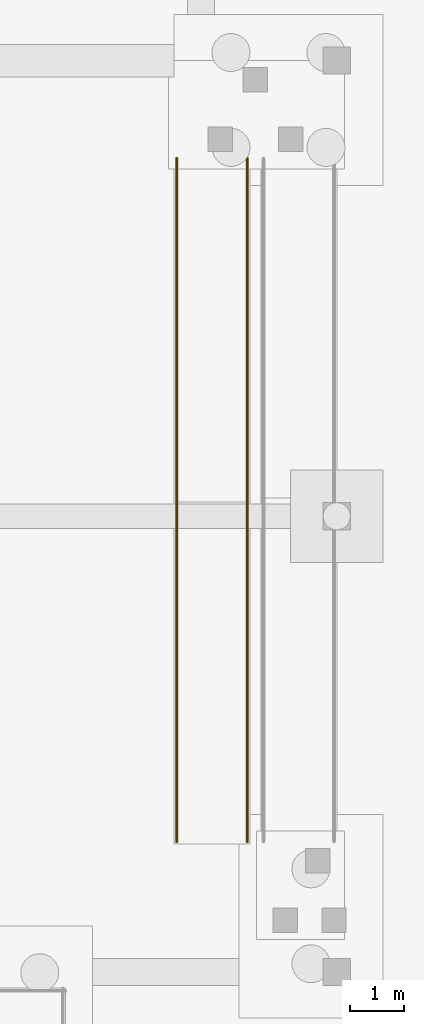
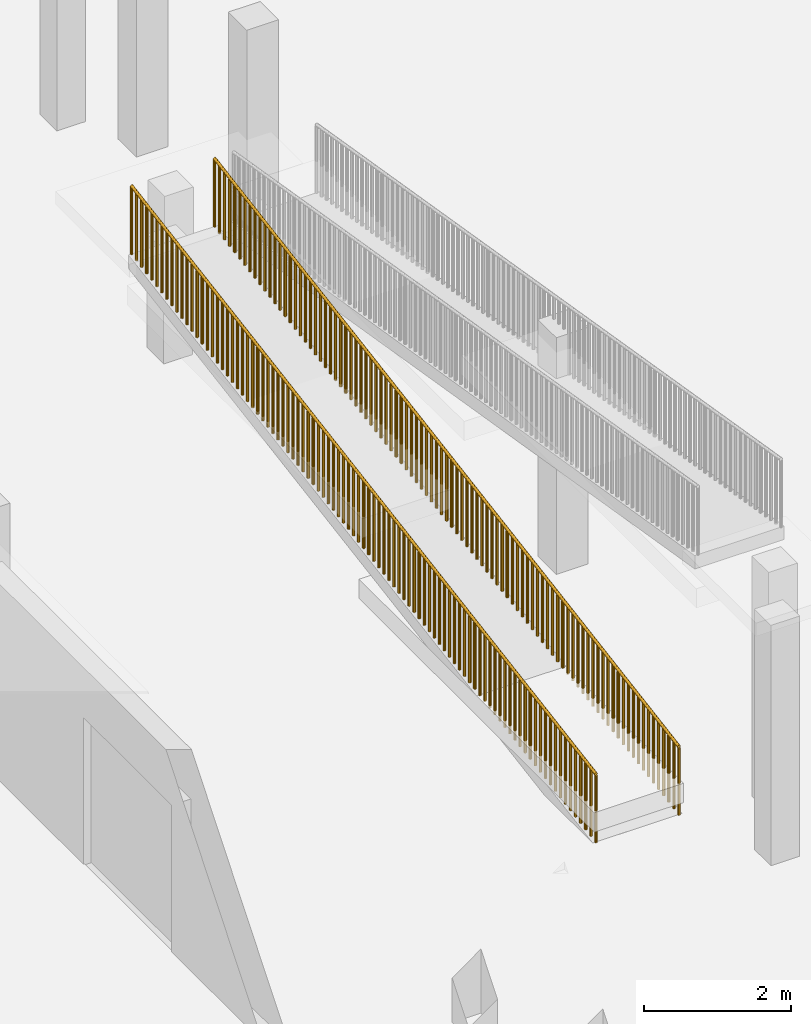
# One storey, part 75 of 88: 2 railings.
"""IFC4 building model written with IfcOpenShell, lengths in metres."""

from ifc_helpers import new_model, si_unit, direction, frame, origin, origin_2d, place, context, subcontext, project, spatial, circle, extrude, material, type_object, element, save


model = new_model("IFC4")

# Units and contexts
model_context = context("Model", 3, precision=1e-05, world=origin(), true_north=direction((0.0, 1.0)))
body_context = subcontext(model_context, "Body", "Model", "MODEL_VIEW")
ifc_project = project(units=[si_unit("LENGTHUNIT", "METRE"), si_unit("AREAUNIT", "SQUARE_METRE"), si_unit("VOLUMEUNIT", "CUBIC_METRE"), si_unit("PLANEANGLEUNIT", "RADIAN"), si_unit("MASSUNIT", "GRAM", prefix="KILO")], contexts=[model_context])

# Site, building, storey
site_placement = place(None, origin())
site = spatial("IfcSite", under=ifc_project, at=site_placement, CompositionType="ELEMENT")
building_placement = place(site_placement, origin())
building = spatial("IfcBuilding", under=site, at=building_placement, Name="Vanh Quang Courtyard School", CompositionType="ELEMENT")
storey_placement = place(building_placement, origin())
storey = spatial("IfcBuildingStorey", under=building, at=storey_placement, Name="L00", CompositionType="ELEMENT", Elevation=0.0)

# Railings
ifc_material = material(Name="Galvanised painted steel EN 10025-2 S355J2", Category="steel")
railing_type = type_object("IfcRailingType", Name="RAIL-GUARD-1150", PredefinedType="BALUSTRADE", material=ifc_material)
railing_1_placement = place(storey_placement, frame((125.550048828125, 15.0, 0.0)))
element("IfcRailing", 1, at=railing_1_placement, inside=storey, type_object=railing_type, Name="Railing GR-01 (L00)", PredefinedType="BALUSTRADE", context=body_context, shape_type="SweptSolid", body=[
    extrude(circle(Radius=0.02392578125, at=origin_2d()), frame((0.0, 0.0, 1.1259765625), z_axis=(0.0, 0.986392890708, 0.16440518593), x_axis=(-1.0, 0.0, 0.0)), (0.0, 0.0, 1.0), 12.77392578125),
    extrude(circle(Radius=0.02099609375, at=origin_2d()), origin(), (0.0, 0.0, 1.0), 1.101806640625),
    extrude(circle(Radius=0.02099609375, at=origin_2d()), frame((0.0, 0.136962890625, 0.02294921875)), (0.0, 0.0, 1.0), 1.101806640625),
    extrude(circle(Radius=0.02099609375, at=origin_2d()), frame((0.0, 0.27392578125, 0.045654296875)), (0.0, 0.0, 1.0), 1.101806640625),
    extrude(circle(Radius=0.02099609375, at=origin_2d()), frame((0.0, 0.410888671875, 0.068359375)), (0.0, 0.0, 1.0), 1.101806640625),
    extrude(circle(Radius=0.02099609375, at=origin_2d()), frame((0.0, 0.5478515625, 0.09130859375)), (0.0, 0.0, 1.0), 1.101806640625),
    extrude(circle(Radius=0.02099609375, at=origin_2d()), frame((0.0, 0.684814453125, 0.1142578125)), (0.0, 0.0, 1.0), 1.101806640625),
    extrude(circle(Radius=0.02099609375, at=origin_2d()), frame((0.0, 0.82177734375, 0.136962890625)), (0.0, 0.0, 1.0), 1.101806640625),
    extrude(circle(Radius=0.02099609375, at=origin_2d()), frame((0.0, 0.958740234375, 0.15966796875)), (0.0, 0.0, 1.0), 1.101806640625),
    extrude(circle(Radius=0.02099609375, at=origin_2d()), frame((0.0, 1.095703125, 0.1826171875)), (0.0, 0.0, 1.0), 1.101806640625),
    extrude(circle(Radius=0.02099609375, at=origin_2d()), frame((0.0, 1.232666015625, 0.20556640625)), (0.0, 0.0, 1.0), 1.101806640625),
    extrude(circle(Radius=0.02099609375, at=origin_2d()), frame((0.0, 1.36962890625, 0.228271484375)), (0.0, 0.0, 1.0), 1.101806640625),
    extrude(circle(Radius=0.02099609375, at=origin_2d()), frame((0.0, 1.506591796875, 0.2509765625)), (0.0, 0.0, 1.0), 1.101806640625),
    extrude(circle(Radius=0.02099609375, at=origin_2d()), frame((0.0, 1.6435546875, 0.27392578125)), (0.0, 0.0, 1.0), 1.101806640625),
    extrude(circle(Radius=0.02099609375, at=origin_2d()), frame((0.0, 1.780517578125, 0.296875)), (0.0, 0.0, 1.0), 1.101806640625),
    extrude(circle(Radius=0.02099609375, at=origin_2d()), frame((0.0, 1.91748046875, 0.319580078125)), (0.0, 0.0, 1.0), 1.101806640625),
    extrude(circle(Radius=0.02099609375, at=origin_2d()), frame((0.0, 2.054443359375, 0.34228515625)), (0.0, 0.0, 1.0), 1.101806640625),
    extrude(circle(Radius=0.02099609375, at=origin_2d()), frame((0.0, 2.19140625, 0.365234375)), (0.0, 0.0, 1.0), 1.101806640625),
    extrude(circle(Radius=0.02099609375, at=origin_2d()), frame((0.0, 2.328369140625, 0.38818359375)), (0.0, 0.0, 1.0), 1.101806640625),
    extrude(circle(Radius=0.02099609375, at=origin_2d()), frame((0.0, 2.46533203125, 0.410888671875)), (0.0, 0.0, 1.0), 1.101806640625),
    extrude(circle(Radius=0.02099609375, at=origin_2d()), frame((0.0, 2.602294921875, 0.43359375)), (0.0, 0.0, 1.0), 1.101806640625),
    extrude(circle(Radius=0.02099609375, at=origin_2d()), frame((0.0, 2.7392578125, 0.45654296875)), (0.0, 0.0, 1.0), 1.101806640625),
    extrude(circle(Radius=0.02099609375, at=origin_2d()), frame((0.0, 2.876220703125, 0.479248046875)), (0.0, 0.0, 1.0), 1.101806640625),
    extrude(circle(Radius=0.02099609375, at=origin_2d()), frame((0.0, 3.01318359375, 0.502197265625)), (0.0, 0.0, 1.0), 1.101806640625),
    extrude(circle(Radius=0.02099609375, at=origin_2d()), frame((0.0, 3.14990234375, 0.52490234375)), (0.0, 0.0, 1.0), 1.101806640625),
    extrude(circle(Radius=0.02099609375, at=origin_2d()), frame((0.0, 3.286865234375, 0.5478515625)), (0.0, 0.0, 1.0), 1.101806640625),
    extrude(circle(Radius=0.02099609375, at=origin_2d()), frame((0.0, 3.423828125, 0.57080078125)), (0.0, 0.0, 1.0), 1.101806640625),
    extrude(circle(Radius=0.02099609375, at=origin_2d()), frame((0.0, 3.560791015625, 0.593505859375)), (0.0, 0.0, 1.0), 1.101806640625),
    extrude(circle(Radius=0.02099609375, at=origin_2d()), frame((0.0, 3.69775390625, 0.616455078125)), (0.0, 0.0, 1.0), 1.101806640625),
    extrude(circle(Radius=0.02099609375, at=origin_2d()), frame((0.0, 3.834716796875, 0.63916015625)), (0.0, 0.0, 1.0), 1.101806640625),
    extrude(circle(Radius=0.02099609375, at=origin_2d()), frame((0.0, 3.9716796875, 0.662109375)), (0.0, 0.0, 1.0), 1.101806640625),
    extrude(circle(Radius=0.02099609375, at=origin_2d()), frame((0.0, 4.108642578125, 0.684814453125)), (0.0, 0.0, 1.0), 1.101806640625),
    extrude(circle(Radius=0.02099609375, at=origin_2d()), frame((0.0, 4.24560546875, 0.70751953125)), (0.0, 0.0, 1.0), 1.101806640625),
    extrude(circle(Radius=0.02099609375, at=origin_2d()), frame((0.0, 4.382568359375, 0.73046875)), (0.0, 0.0, 1.0), 1.101806640625),
    extrude(circle(Radius=0.02099609375, at=origin_2d()), frame((0.0, 4.51953125, 0.75341796875)), (0.0, 0.0, 1.0), 1.101806640625),
    extrude(circle(Radius=0.02099609375, at=origin_2d()), frame((0.0, 4.656494140625, 0.776123046875)), (0.0, 0.0, 1.0), 1.101806640625),
    extrude(circle(Radius=0.02099609375, at=origin_2d()), frame((0.0, 4.79345703125, 0.798828125)), (0.0, 0.0, 1.0), 1.101806640625),
    extrude(circle(Radius=0.02099609375, at=origin_2d()), frame((0.0, 4.930419921875, 0.82177734375)), (0.0, 0.0, 1.0), 1.101806640625),
    extrude(circle(Radius=0.02099609375, at=origin_2d()), frame((0.0, 5.0673828125, 0.8447265625)), (0.0, 0.0, 1.0), 1.101806640625),
    extrude(circle(Radius=0.02099609375, at=origin_2d()), frame((0.0, 5.204345703125, 0.867431640625)), (0.0, 0.0, 1.0), 1.101806640625),
    extrude(circle(Radius=0.02099609375, at=origin_2d()), frame((0.0, 5.34130859375, 0.89013671875)), (0.0, 0.0, 1.0), 1.101806640625),
    extrude(circle(Radius=0.02099609375, at=origin_2d()), frame((0.0, 5.478271484375, 0.9130859375)), (0.0, 0.0, 1.0), 1.101806640625),
    extrude(circle(Radius=0.02099609375, at=origin_2d()), frame((0.0, 5.615234375, 0.93603515625)), (0.0, 0.0, 1.0), 1.101806640625),
    extrude(circle(Radius=0.02099609375, at=origin_2d()), frame((0.0, 5.752197265625, 0.958740234375)), (0.0, 0.0, 1.0), 1.101806640625),
    extrude(circle(Radius=0.02099609375, at=origin_2d()), frame((0.0, 5.88916015625, 0.9814453125)), (0.0, 0.0, 1.0), 1.101806640625),
    extrude(circle(Radius=0.02099609375, at=origin_2d()), frame((0.0, 6.026123046875, 1.00439453125)), (0.0, 0.0, 1.0), 1.101806640625),
    extrude(circle(Radius=0.02099609375, at=origin_2d()), frame((0.0, 6.1630859375, 1.02734375)), (0.0, 0.0, 1.0), 1.101806640625),
    extrude(circle(Radius=0.02099609375, at=origin_2d()), frame((0.0, 6.300048828125, 1.050048828125)), (0.0, 0.0, 1.0), 1.101806640625),
    extrude(circle(Radius=0.02099609375, at=origin_2d()), frame((0.0, 6.43701171875, 1.07275390625)), (0.0, 0.0, 1.0), 1.101806640625),
    extrude(circle(Radius=0.02099609375, at=origin_2d()), frame((0.0, 6.573974609375, 1.095703125)), (0.0, 0.0, 1.0), 1.101806640625),
    extrude(circle(Radius=0.02099609375, at=origin_2d()), frame((0.0, 6.7109375, 1.11865234375)), (0.0, 0.0, 1.0), 1.101806640625),
    extrude(circle(Radius=0.02099609375, at=origin_2d()), frame((0.0, 6.847900390625, 1.141357421875)), (0.0, 0.0, 1.0), 1.101806640625),
    extrude(circle(Radius=0.02099609375, at=origin_2d()), frame((0.0, 6.98486328125, 1.1640625)), (0.0, 0.0, 1.0), 1.101806640625),
    extrude(circle(Radius=0.02099609375, at=origin_2d()), frame((0.0, 7.121826171875, 1.18701171875)), (0.0, 0.0, 1.0), 1.101806640625),
    extrude(circle(Radius=0.02099609375, at=origin_2d()), frame((0.0, 7.2587890625, 1.2099609375)), (0.0, 0.0, 1.0), 1.101806640625),
    extrude(circle(Radius=0.02099609375, at=origin_2d()), frame((0.0, 7.395751953125, 1.232666015625)), (0.0, 0.0, 1.0), 1.101806640625),
    extrude(circle(Radius=0.02099609375, at=origin_2d()), frame((0.0, 7.53271484375, 1.25537109375)), (0.0, 0.0, 1.0), 1.101806640625),
    extrude(circle(Radius=0.02099609375, at=origin_2d()), frame((0.0, 7.669677734375, 1.2783203125)), (0.0, 0.0, 1.0), 1.101806640625),
    extrude(circle(Radius=0.02099609375, at=origin_2d()), frame((0.0, 7.806640625, 1.30126953125)), (0.0, 0.0, 1.0), 1.101806640625),
    extrude(circle(Radius=0.02099609375, at=origin_2d()), frame((0.0, 7.943603515625, 1.323974609375)), (0.0, 0.0, 1.0), 1.101806640625),
    extrude(circle(Radius=0.02099609375, at=origin_2d()), frame((0.0, 8.08056640625, 1.3466796875)), (0.0, 0.0, 1.0), 1.101806640625),
    extrude(circle(Radius=0.02099609375, at=origin_2d()), frame((0.0, 8.217529296875, 1.36962890625)), (0.0, 0.0, 1.0), 1.101806640625),
    extrude(circle(Radius=0.02099609375, at=origin_2d()), frame((0.0, 8.3544921875, 1.392333984375)), (0.0, 0.0, 1.0), 1.101806640625),
    extrude(circle(Radius=0.02099609375, at=origin_2d()), frame((0.0, 8.491455078125, 1.415283203125)), (0.0, 0.0, 1.0), 1.101806640625),
    extrude(circle(Radius=0.02099609375, at=origin_2d()), frame((0.0, 8.62841796875, 1.43798828125)), (0.0, 0.0, 1.0), 1.101806640625),
    extrude(circle(Radius=0.02099609375, at=origin_2d()), frame((0.0, 8.765380859375, 1.4609375)), (0.0, 0.0, 1.0), 1.101806640625),
    extrude(circle(Radius=0.02099609375, at=origin_2d()), frame((0.0, 8.90234375, 1.48388671875)), (0.0, 0.0, 1.0), 1.101806640625),
    extrude(circle(Radius=0.02099609375, at=origin_2d()), frame((0.0, 9.039306640625, 1.506591796875)), (0.0, 0.0, 1.0), 1.101806640625),
    extrude(circle(Radius=0.02099609375, at=origin_2d()), frame((0.0, 9.17626953125, 1.529296875)), (0.0, 0.0, 1.0), 1.101806640625),
    extrude(circle(Radius=0.02099609375, at=origin_2d()), frame((0.0, 9.313232421875, 1.55224609375)), (0.0, 0.0, 1.0), 1.101806640625),
    extrude(circle(Radius=0.02099609375, at=origin_2d()), frame((0.0, 9.4501953125, 1.5751953125)), (0.0, 0.0, 1.0), 1.101806640625),
    extrude(circle(Radius=0.02099609375, at=origin_2d()), frame((0.0, 9.5869140625, 1.597900390625)), (0.0, 0.0, 1.0), 1.101806640625),
    extrude(circle(Radius=0.02099609375, at=origin_2d()), frame((0.0, 9.723876953125, 1.62060546875)), (0.0, 0.0, 1.0), 1.101806640625),
    extrude(circle(Radius=0.02099609375, at=origin_2d()), frame((0.0, 9.86083984375, 1.6435546875)), (0.0, 0.0, 1.0), 1.101806640625),
    extrude(circle(Radius=0.02099609375, at=origin_2d()), frame((0.0, 9.997802734375, 1.66650390625)), (0.0, 0.0, 1.0), 1.101806640625),
    extrude(circle(Radius=0.02099609375, at=origin_2d()), frame((0.0, 10.134765625, 1.689208984375)), (0.0, 0.0, 1.0), 1.101806640625),
    extrude(circle(Radius=0.02099609375, at=origin_2d()), frame((0.0, 10.271728515625, 1.7119140625)), (0.0, 0.0, 1.0), 1.101806640625),
    extrude(circle(Radius=0.02099609375, at=origin_2d()), frame((0.0, 10.40869140625, 1.73486328125)), (0.0, 0.0, 1.0), 1.101806640625),
    extrude(circle(Radius=0.02099609375, at=origin_2d()), frame((0.0, 10.545654296875, 1.7578125)), (0.0, 0.0, 1.0), 1.101806640625),
    extrude(circle(Radius=0.02099609375, at=origin_2d()), frame((0.0, 10.6826171875, 1.780517578125)), (0.0, 0.0, 1.0), 1.101806640625),
    extrude(circle(Radius=0.02099609375, at=origin_2d()), frame((0.0, 10.819580078125, 1.80322265625)), (0.0, 0.0, 1.0), 1.101806640625),
    extrude(circle(Radius=0.02099609375, at=origin_2d()), frame((0.0, 10.95654296875, 1.826171875)), (0.0, 0.0, 1.0), 1.101806640625),
    extrude(circle(Radius=0.02099609375, at=origin_2d()), frame((0.0, 11.093505859375, 1.84912109375)), (0.0, 0.0, 1.0), 1.101806640625),
    extrude(circle(Radius=0.02099609375, at=origin_2d()), frame((0.0, 11.23046875, 1.871826171875)), (0.0, 0.0, 1.0), 1.101806640625),
    extrude(circle(Radius=0.02099609375, at=origin_2d()), frame((0.0, 11.367431640625, 1.89453125)), (0.0, 0.0, 1.0), 1.101806640625),
    extrude(circle(Radius=0.02099609375, at=origin_2d()), frame((0.0, 11.50439453125, 1.91748046875)), (0.0, 0.0, 1.0), 1.101806640625),
    extrude(circle(Radius=0.02099609375, at=origin_2d()), frame((0.0, 11.641357421875, 1.9404296875)), (0.0, 0.0, 1.0), 1.101806640625),
    extrude(circle(Radius=0.02099609375, at=origin_2d()), frame((0.0, 11.7783203125, 1.963134765625)), (0.0, 0.0, 1.0), 1.101806640625),
    extrude(circle(Radius=0.02099609375, at=origin_2d()), frame((0.0, 11.915283203125, 1.98583984375)), (0.0, 0.0, 1.0), 1.101806640625),
    extrude(circle(Radius=0.02099609375, at=origin_2d()), frame((0.0, 12.05224609375, 2.0087890625)), (0.0, 0.0, 1.0), 1.101806640625),
    extrude(circle(Radius=0.02099609375, at=origin_2d()), frame((0.0, 12.189208984375, 2.03173828125)), (0.0, 0.0, 1.0), 1.101806640625),
    extrude(circle(Radius=0.02099609375, at=origin_2d()), frame((0.0, 12.326171875, 2.054443359375)), (0.0, 0.0, 1.0), 1.101806640625),
    extrude(circle(Radius=0.02099609375, at=origin_2d()), frame((0.0, 12.463134765625, 2.0771484375)), (0.0, 0.0, 1.0), 1.101806640625),
    extrude(circle(Radius=0.02099609375, at=origin_2d()), frame((0.0, 12.60009765625, 2.10009765625)), (0.0, 0.0, 1.0), 1.101806640625),
])
railing_2_placement = place(storey_placement, frame((126.85009765625, 15.0, 0.0)))
element("IfcRailing", 2, at=railing_2_placement, inside=storey, type_object=railing_type, Name="Railing GR-01 (L00)", PredefinedType="BALUSTRADE", context=body_context, shape_type="SweptSolid", body=[
    extrude(circle(Radius=0.02392578125, at=origin_2d()), frame((0.0, 0.0, 1.1259765625), z_axis=(0.0, 0.986392890708, 0.16440518593), x_axis=(-1.0, 0.0, 0.0)), (0.0, 0.0, 1.0), 12.77392578125),
    extrude(circle(Radius=0.02099609375, at=origin_2d()), origin(), (0.0, 0.0, 1.0), 1.101806640625),
    extrude(circle(Radius=0.02099609375, at=origin_2d()), frame((0.0, 0.136962890625, 0.02294921875)), (0.0, 0.0, 1.0), 1.101806640625),
    extrude(circle(Radius=0.02099609375, at=origin_2d()), frame((0.0, 0.27392578125, 0.045654296875)), (0.0, 0.0, 1.0), 1.101806640625),
    extrude(circle(Radius=0.02099609375, at=origin_2d()), frame((0.0, 0.410888671875, 0.068359375)), (0.0, 0.0, 1.0), 1.101806640625),
    extrude(circle(Radius=0.02099609375, at=origin_2d()), frame((0.0, 0.5478515625, 0.09130859375)), (0.0, 0.0, 1.0), 1.101806640625),
    extrude(circle(Radius=0.02099609375, at=origin_2d()), frame((0.0, 0.684814453125, 0.1142578125)), (0.0, 0.0, 1.0), 1.101806640625),
    extrude(circle(Radius=0.02099609375, at=origin_2d()), frame((0.0, 0.82177734375, 0.136962890625)), (0.0, 0.0, 1.0), 1.101806640625),
    extrude(circle(Radius=0.02099609375, at=origin_2d()), frame((0.0, 0.958740234375, 0.15966796875)), (0.0, 0.0, 1.0), 1.101806640625),
    extrude(circle(Radius=0.02099609375, at=origin_2d()), frame((0.0, 1.095703125, 0.1826171875)), (0.0, 0.0, 1.0), 1.101806640625),
    extrude(circle(Radius=0.02099609375, at=origin_2d()), frame((0.0, 1.232666015625, 0.20556640625)), (0.0, 0.0, 1.0), 1.101806640625),
    extrude(circle(Radius=0.02099609375, at=origin_2d()), frame((0.0, 1.36962890625, 0.228271484375)), (0.0, 0.0, 1.0), 1.101806640625),
    extrude(circle(Radius=0.02099609375, at=origin_2d()), frame((0.0, 1.506591796875, 0.2509765625)), (0.0, 0.0, 1.0), 1.101806640625),
    extrude(circle(Radius=0.02099609375, at=origin_2d()), frame((0.0, 1.6435546875, 0.27392578125)), (0.0, 0.0, 1.0), 1.101806640625),
    extrude(circle(Radius=0.02099609375, at=origin_2d()), frame((0.0, 1.780517578125, 0.296875)), (0.0, 0.0, 1.0), 1.101806640625),
    extrude(circle(Radius=0.02099609375, at=origin_2d()), frame((0.0, 1.91748046875, 0.319580078125)), (0.0, 0.0, 1.0), 1.101806640625),
    extrude(circle(Radius=0.02099609375, at=origin_2d()), frame((0.0, 2.054443359375, 0.34228515625)), (0.0, 0.0, 1.0), 1.101806640625),
    extrude(circle(Radius=0.02099609375, at=origin_2d()), frame((0.0, 2.19140625, 0.365234375)), (0.0, 0.0, 1.0), 1.101806640625),
    extrude(circle(Radius=0.02099609375, at=origin_2d()), frame((0.0, 2.328369140625, 0.38818359375)), (0.0, 0.0, 1.0), 1.101806640625),
    extrude(circle(Radius=0.02099609375, at=origin_2d()), frame((0.0, 2.46533203125, 0.410888671875)), (0.0, 0.0, 1.0), 1.101806640625),
    extrude(circle(Radius=0.02099609375, at=origin_2d()), frame((0.0, 2.602294921875, 0.43359375)), (0.0, 0.0, 1.0), 1.101806640625),
    extrude(circle(Radius=0.02099609375, at=origin_2d()), frame((0.0, 2.7392578125, 0.45654296875)), (0.0, 0.0, 1.0), 1.101806640625),
    extrude(circle(Radius=0.02099609375, at=origin_2d()), frame((0.0, 2.876220703125, 0.479248046875)), (0.0, 0.0, 1.0), 1.101806640625),
    extrude(circle(Radius=0.02099609375, at=origin_2d()), frame((0.0, 3.01318359375, 0.502197265625)), (0.0, 0.0, 1.0), 1.101806640625),
    extrude(circle(Radius=0.02099609375, at=origin_2d()), frame((0.0, 3.14990234375, 0.52490234375)), (0.0, 0.0, 1.0), 1.101806640625),
    extrude(circle(Radius=0.02099609375, at=origin_2d()), frame((0.0, 3.286865234375, 0.5478515625)), (0.0, 0.0, 1.0), 1.101806640625),
    extrude(circle(Radius=0.02099609375, at=origin_2d()), frame((0.0, 3.423828125, 0.57080078125)), (0.0, 0.0, 1.0), 1.101806640625),
    extrude(circle(Radius=0.02099609375, at=origin_2d()), frame((0.0, 3.560791015625, 0.593505859375)), (0.0, 0.0, 1.0), 1.101806640625),
    extrude(circle(Radius=0.02099609375, at=origin_2d()), frame((0.0, 3.69775390625, 0.616455078125)), (0.0, 0.0, 1.0), 1.101806640625),
    extrude(circle(Radius=0.02099609375, at=origin_2d()), frame((0.0, 3.834716796875, 0.63916015625)), (0.0, 0.0, 1.0), 1.101806640625),
    extrude(circle(Radius=0.02099609375, at=origin_2d()), frame((0.0, 3.9716796875, 0.662109375)), (0.0, 0.0, 1.0), 1.101806640625),
    extrude(circle(Radius=0.02099609375, at=origin_2d()), frame((0.0, 4.108642578125, 0.684814453125)), (0.0, 0.0, 1.0), 1.101806640625),
    extrude(circle(Radius=0.02099609375, at=origin_2d()), frame((0.0, 4.24560546875, 0.70751953125)), (0.0, 0.0, 1.0), 1.101806640625),
    extrude(circle(Radius=0.02099609375, at=origin_2d()), frame((0.0, 4.382568359375, 0.73046875)), (0.0, 0.0, 1.0), 1.101806640625),
    extrude(circle(Radius=0.02099609375, at=origin_2d()), frame((0.0, 4.51953125, 0.75341796875)), (0.0, 0.0, 1.0), 1.101806640625),
    extrude(circle(Radius=0.02099609375, at=origin_2d()), frame((0.0, 4.656494140625, 0.776123046875)), (0.0, 0.0, 1.0), 1.101806640625),
    extrude(circle(Radius=0.02099609375, at=origin_2d()), frame((0.0, 4.79345703125, 0.798828125)), (0.0, 0.0, 1.0), 1.101806640625),
    extrude(circle(Radius=0.02099609375, at=origin_2d()), frame((0.0, 4.930419921875, 0.82177734375)), (0.0, 0.0, 1.0), 1.101806640625),
    extrude(circle(Radius=0.02099609375, at=origin_2d()), frame((0.0, 5.0673828125, 0.8447265625)), (0.0, 0.0, 1.0), 1.101806640625),
    extrude(circle(Radius=0.02099609375, at=origin_2d()), frame((0.0, 5.204345703125, 0.867431640625)), (0.0, 0.0, 1.0), 1.101806640625),
    extrude(circle(Radius=0.02099609375, at=origin_2d()), frame((0.0, 5.34130859375, 0.89013671875)), (0.0, 0.0, 1.0), 1.101806640625),
    extrude(circle(Radius=0.02099609375, at=origin_2d()), frame((0.0, 5.478271484375, 0.9130859375)), (0.0, 0.0, 1.0), 1.101806640625),
    extrude(circle(Radius=0.02099609375, at=origin_2d()), frame((0.0, 5.615234375, 0.93603515625)), (0.0, 0.0, 1.0), 1.101806640625),
    extrude(circle(Radius=0.02099609375, at=origin_2d()), frame((0.0, 5.752197265625, 0.958740234375)), (0.0, 0.0, 1.0), 1.101806640625),
    extrude(circle(Radius=0.02099609375, at=origin_2d()), frame((0.0, 5.88916015625, 0.9814453125)), (0.0, 0.0, 1.0), 1.101806640625),
    extrude(circle(Radius=0.02099609375, at=origin_2d()), frame((0.0, 6.026123046875, 1.00439453125)), (0.0, 0.0, 1.0), 1.101806640625),
    extrude(circle(Radius=0.02099609375, at=origin_2d()), frame((0.0, 6.1630859375, 1.02734375)), (0.0, 0.0, 1.0), 1.101806640625),
    extrude(circle(Radius=0.02099609375, at=origin_2d()), frame((0.0, 6.300048828125, 1.050048828125)), (0.0, 0.0, 1.0), 1.101806640625),
    extrude(circle(Radius=0.02099609375, at=origin_2d()), frame((0.0, 6.43701171875, 1.07275390625)), (0.0, 0.0, 1.0), 1.101806640625),
    extrude(circle(Radius=0.02099609375, at=origin_2d()), frame((0.0, 6.573974609375, 1.095703125)), (0.0, 0.0, 1.0), 1.101806640625),
    extrude(circle(Radius=0.02099609375, at=origin_2d()), frame((0.0, 6.7109375, 1.11865234375)), (0.0, 0.0, 1.0), 1.101806640625),
    extrude(circle(Radius=0.02099609375, at=origin_2d()), frame((0.0, 6.847900390625, 1.141357421875)), (0.0, 0.0, 1.0), 1.101806640625),
    extrude(circle(Radius=0.02099609375, at=origin_2d()), frame((0.0, 6.98486328125, 1.1640625)), (0.0, 0.0, 1.0), 1.101806640625),
    extrude(circle(Radius=0.02099609375, at=origin_2d()), frame((0.0, 7.121826171875, 1.18701171875)), (0.0, 0.0, 1.0), 1.101806640625),
    extrude(circle(Radius=0.02099609375, at=origin_2d()), frame((0.0, 7.2587890625, 1.2099609375)), (0.0, 0.0, 1.0), 1.101806640625),
    extrude(circle(Radius=0.02099609375, at=origin_2d()), frame((0.0, 7.395751953125, 1.232666015625)), (0.0, 0.0, 1.0), 1.101806640625),
    extrude(circle(Radius=0.02099609375, at=origin_2d()), frame((0.0, 7.53271484375, 1.25537109375)), (0.0, 0.0, 1.0), 1.101806640625),
    extrude(circle(Radius=0.02099609375, at=origin_2d()), frame((0.0, 7.669677734375, 1.2783203125)), (0.0, 0.0, 1.0), 1.101806640625),
    extrude(circle(Radius=0.02099609375, at=origin_2d()), frame((0.0, 7.806640625, 1.30126953125)), (0.0, 0.0, 1.0), 1.101806640625),
    extrude(circle(Radius=0.02099609375, at=origin_2d()), frame((0.0, 7.943603515625, 1.323974609375)), (0.0, 0.0, 1.0), 1.101806640625),
    extrude(circle(Radius=0.02099609375, at=origin_2d()), frame((0.0, 8.08056640625, 1.3466796875)), (0.0, 0.0, 1.0), 1.101806640625),
    extrude(circle(Radius=0.02099609375, at=origin_2d()), frame((0.0, 8.217529296875, 1.36962890625)), (0.0, 0.0, 1.0), 1.101806640625),
    extrude(circle(Radius=0.02099609375, at=origin_2d()), frame((0.0, 8.3544921875, 1.392333984375)), (0.0, 0.0, 1.0), 1.101806640625),
    extrude(circle(Radius=0.02099609375, at=origin_2d()), frame((0.0, 8.491455078125, 1.415283203125)), (0.0, 0.0, 1.0), 1.101806640625),
    extrude(circle(Radius=0.02099609375, at=origin_2d()), frame((0.0, 8.62841796875, 1.43798828125)), (0.0, 0.0, 1.0), 1.101806640625),
    extrude(circle(Radius=0.02099609375, at=origin_2d()), frame((0.0, 8.765380859375, 1.4609375)), (0.0, 0.0, 1.0), 1.101806640625),
    extrude(circle(Radius=0.02099609375, at=origin_2d()), frame((0.0, 8.90234375, 1.48388671875)), (0.0, 0.0, 1.0), 1.101806640625),
    extrude(circle(Radius=0.02099609375, at=origin_2d()), frame((0.0, 9.039306640625, 1.506591796875)), (0.0, 0.0, 1.0), 1.101806640625),
    extrude(circle(Radius=0.02099609375, at=origin_2d()), frame((0.0, 9.17626953125, 1.529296875)), (0.0, 0.0, 1.0), 1.101806640625),
    extrude(circle(Radius=0.02099609375, at=origin_2d()), frame((0.0, 9.313232421875, 1.55224609375)), (0.0, 0.0, 1.0), 1.101806640625),
    extrude(circle(Radius=0.02099609375, at=origin_2d()), frame((0.0, 9.4501953125, 1.5751953125)), (0.0, 0.0, 1.0), 1.101806640625),
    extrude(circle(Radius=0.02099609375, at=origin_2d()), frame((0.0, 9.5869140625, 1.597900390625)), (0.0, 0.0, 1.0), 1.101806640625),
    extrude(circle(Radius=0.02099609375, at=origin_2d()), frame((0.0, 9.723876953125, 1.62060546875)), (0.0, 0.0, 1.0), 1.101806640625),
    extrude(circle(Radius=0.02099609375, at=origin_2d()), frame((0.0, 9.86083984375, 1.6435546875)), (0.0, 0.0, 1.0), 1.101806640625),
    extrude(circle(Radius=0.02099609375, at=origin_2d()), frame((0.0, 9.997802734375, 1.66650390625)), (0.0, 0.0, 1.0), 1.101806640625),
    extrude(circle(Radius=0.02099609375, at=origin_2d()), frame((0.0, 10.134765625, 1.689208984375)), (0.0, 0.0, 1.0), 1.101806640625),
    extrude(circle(Radius=0.02099609375, at=origin_2d()), frame((0.0, 10.271728515625, 1.7119140625)), (0.0, 0.0, 1.0), 1.101806640625),
    extrude(circle(Radius=0.02099609375, at=origin_2d()), frame((0.0, 10.40869140625, 1.73486328125)), (0.0, 0.0, 1.0), 1.101806640625),
    extrude(circle(Radius=0.02099609375, at=origin_2d()), frame((0.0, 10.545654296875, 1.7578125)), (0.0, 0.0, 1.0), 1.101806640625),
    extrude(circle(Radius=0.02099609375, at=origin_2d()), frame((0.0, 10.6826171875, 1.780517578125)), (0.0, 0.0, 1.0), 1.101806640625),
    extrude(circle(Radius=0.02099609375, at=origin_2d()), frame((0.0, 10.819580078125, 1.80322265625)), (0.0, 0.0, 1.0), 1.101806640625),
    extrude(circle(Radius=0.02099609375, at=origin_2d()), frame((0.0, 10.95654296875, 1.826171875)), (0.0, 0.0, 1.0), 1.101806640625),
    extrude(circle(Radius=0.02099609375, at=origin_2d()), frame((0.0, 11.093505859375, 1.84912109375)), (0.0, 0.0, 1.0), 1.101806640625),
    extrude(circle(Radius=0.02099609375, at=origin_2d()), frame((0.0, 11.23046875, 1.871826171875)), (0.0, 0.0, 1.0), 1.101806640625),
    extrude(circle(Radius=0.02099609375, at=origin_2d()), frame((0.0, 11.367431640625, 1.89453125)), (0.0, 0.0, 1.0), 1.101806640625),
    extrude(circle(Radius=0.02099609375, at=origin_2d()), frame((0.0, 11.50439453125, 1.91748046875)), (0.0, 0.0, 1.0), 1.101806640625),
    extrude(circle(Radius=0.02099609375, at=origin_2d()), frame((0.0, 11.641357421875, 1.9404296875)), (0.0, 0.0, 1.0), 1.101806640625),
    extrude(circle(Radius=0.02099609375, at=origin_2d()), frame((0.0, 11.7783203125, 1.963134765625)), (0.0, 0.0, 1.0), 1.101806640625),
    extrude(circle(Radius=0.02099609375, at=origin_2d()), frame((0.0, 11.915283203125, 1.98583984375)), (0.0, 0.0, 1.0), 1.101806640625),
    extrude(circle(Radius=0.02099609375, at=origin_2d()), frame((0.0, 12.05224609375, 2.0087890625)), (0.0, 0.0, 1.0), 1.101806640625),
    extrude(circle(Radius=0.02099609375, at=origin_2d()), frame((0.0, 12.189208984375, 2.03173828125)), (0.0, 0.0, 1.0), 1.101806640625),
    extrude(circle(Radius=0.02099609375, at=origin_2d()), frame((0.0, 12.326171875, 2.054443359375)), (0.0, 0.0, 1.0), 1.101806640625),
    extrude(circle(Radius=0.02099609375, at=origin_2d()), frame((0.0, 12.463134765625, 2.0771484375)), (0.0, 0.0, 1.0), 1.101806640625),
    extrude(circle(Radius=0.02099609375, at=origin_2d()), frame((0.0, 12.60009765625, 2.10009765625)), (0.0, 0.0, 1.0), 1.101806640625),
])

save(model, "model.ifc")
